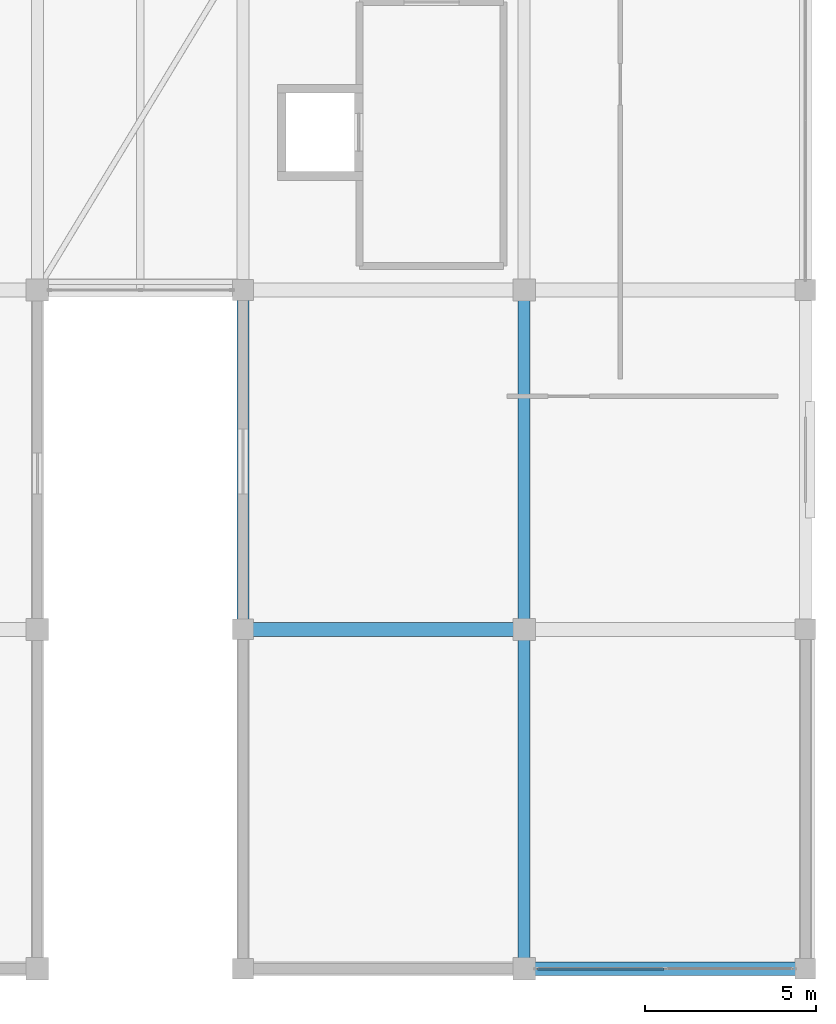
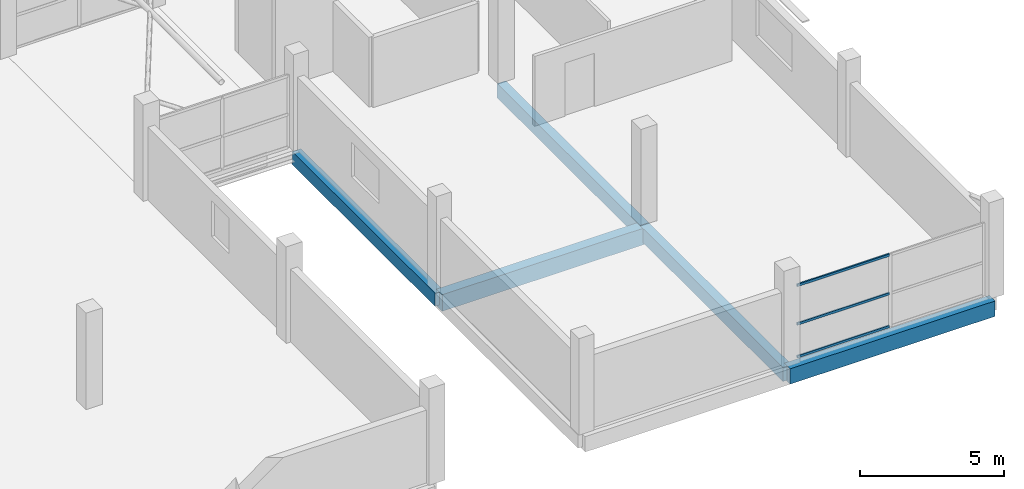
# One storey, part 14 of 70: 5 beams, 3 members, 1 element without a shape of its own.
"""IFC4 building model written with IfcOpenShell, lengths in metres."""

import ifcopenshell
import ifcopenshell.guid

model = None  # the IFC model being written
_history = None  # IfcOwnerHistory: only IFC2X3 demands one
_inside = {}  # id of a spatial element -> (the spatial element, [elements in it])
_under = {}  # id of a project, library or spatial element -> (it, [spatial elements below it])
_declared = {}  # id of a project -> (the project, [libraries it declares])
_typed = {}  # id of a type object -> (the type object, [elements of that type])
_made_of = {}  # id of a material, layer set ... -> (it, [elements and type objects made of it])


def new_model(schema):
    """Start an empty IFC model of exactly this schema.

    Asked for "IFC4X3", IfcOpenShell would pick the latest addendum, in which some entities
    have other attributes; the version numbers below select the first issue.
    IFC2X3 requires an IfcOwnerHistory on every rooted entity: one is made here for all.
    """
    global model, _history
    if schema == "IFC4X3":
        model = ifcopenshell.file(schema_version=(4, 3, 0, 0))
    else:
        model = ifcopenshell.file(schema=schema)
    _inside.clear()
    _under.clear()
    _declared.clear()
    _typed.clear()
    _made_of.clear()
    _history = None
    if model.schema == "IFC2X3":
        org = make("IfcOrganization", Name="unknown")
        user = make(
            "IfcPersonAndOrganization",
            ThePerson=make("IfcPerson", FamilyName="unknown"),
            TheOrganization=org,
        )
        app = make(
            "IfcApplication",
            ApplicationDeveloper=org,
            Version="unknown",
            ApplicationFullName="unknown",
            ApplicationIdentifier="unknown",
        )
        _history = make(
            "IfcOwnerHistory",
            OwningUser=user,
            OwningApplication=app,
            ChangeAction="ADDED",
            CreationDate=0,
        )
    return model


def make(cls, **values):
    """One entity of the class cls with the attributes given. An attribute that is None is left unset."""
    return model.create_entity(
        cls, **{name: value for name, value in values.items() if value is not None}
    )


def rooted(cls, **values):
    """An entity with a GlobalId (a new one), such as an element, a storey or a relation."""
    return make(cls, GlobalId=ifcopenshell.guid.new(), OwnerHistory=_history, **values)


def si_unit(unit_type, name, prefix=None):
    """IfcSIUnit, for example si_unit("LENGTHUNIT", "METRE", prefix="MILLI")."""
    return make("IfcSIUnit", UnitType=unit_type, Prefix=prefix, Name=name)


def assignment(units):
    """IfcUnitAssignment: the units of a project."""
    return None if units is None else make("IfcUnitAssignment", Units=units)


def point(xyz):
    """IfcCartesianPoint."""
    return None if xyz is None else make("IfcCartesianPoint", Coordinates=xyz)


def direction(xyz):
    """IfcDirection."""
    return None if xyz is None else make("IfcDirection", DirectionRatios=xyz)


def frame(location, z_axis=None, x_axis=None):
    """IfcAxis2Placement3D, a coordinate frame: its origin and axes. An axis left out is left unset."""
    return make(
        "IfcAxis2Placement3D",
        Location=point(location),
        Axis=direction(z_axis),
        RefDirection=direction(x_axis),
    )


def frame_2d(location, x_axis=None):
    """IfcAxis2Placement2D, a coordinate frame in the plane: its origin and x axis."""
    return make(
        "IfcAxis2Placement2D", Location=point(location), RefDirection=direction(x_axis)
    )


def origin():
    """The frame at (0, 0, 0) with its axes left unset."""
    return frame((0.0, 0.0, 0.0))


def origin_2d():
    """The frame at (0, 0) in the plane with its x axis left unset."""
    return frame_2d((0.0, 0.0))


def place(relative_to, where):
    """IfcLocalPlacement: puts the frame where relative to a parent placement (None: the world)."""
    return make(
        "IfcLocalPlacement", PlacementRelTo=relative_to, RelativePlacement=where
    )


def context(
    kind, dimensions, precision=None, world=None, true_north=None, identifier=None
):
    """IfcGeometricRepresentationContext, for example the 3D "Model" context."""
    return make(
        "IfcGeometricRepresentationContext",
        ContextIdentifier=identifier,
        ContextType=kind,
        CoordinateSpaceDimension=dimensions,
        Precision=precision,
        WorldCoordinateSystem=world,
        TrueNorth=true_north,
    )


def subcontext(parent, identifier, kind, view, scale=None):
    """IfcGeometricRepresentationSubContext, for example "Body" below "Model"."""
    return make(
        "IfcGeometricRepresentationSubContext",
        ContextIdentifier=identifier,
        ContextType=kind,
        ParentContext=parent,
        TargetScale=scale,
        TargetView=view,
    )


def project(units=None, contexts=None):
    """IfcProject with its units and contexts."""
    return rooted(
        "IfcProject",
        Name="project",
        RepresentationContexts=contexts,
        UnitsInContext=assignment(units),
    )


def spatial(cls, under=None, at=None, **own):
    """A site, building, storey or space (cls), placed at a placement, below another one or the project."""
    s = rooted(cls, ObjectPlacement=at, **own)
    if under is not None:
        _under.setdefault(under.id(), (under, []))[1].append(s)
    return s


def profile(cls, at=None, kind="AREA", **sizes):
    """A parametric profile (cls). Its sizes go by their IFC names, for example OverallWidth=200.0."""
    return make(cls, ProfileType=kind, Position=at, **sizes)


def rectangle(**sizes):
    """IfcRectangleProfileDef."""
    return profile("IfcRectangleProfileDef", **sizes)


def hollow_rectangle(**sizes):
    """IfcRectangleHollowProfileDef."""
    return profile("IfcRectangleHollowProfileDef", **sizes)


def extrude(swept, where, along, depth):
    """IfcExtrudedAreaSolid: the profile swept, set in the frame where, extruded along a direction by depth."""
    return make(
        "IfcExtrudedAreaSolid",
        SweptArea=swept,
        Position=where,
        ExtrudedDirection=direction(along),
        Depth=depth,
    )


def shape(context_of_items, identifier, shape_type, items):
    """IfcShapeRepresentation: the items that make up one representation, for example the "Body"."""
    return make(
        "IfcShapeRepresentation",
        ContextOfItems=context_of_items,
        RepresentationIdentifier=identifier,
        RepresentationType=shape_type,
        Items=items,
    )


def material(Name=None, Category=None):
    """IfcMaterial."""
    return make("IfcMaterial", Name=Name, Category=Category)


def layer(
    of_material, thickness, ventilated=None, Name=None, Category=None, Priority=None
):
    """IfcMaterialLayer: one layer of a wall or slab, of a material (None: an air gap)."""
    return make(
        "IfcMaterialLayer",
        Material=of_material,
        LayerThickness=thickness,
        IsVentilated=ventilated,
        Name=Name,
        Category=Category,
        Priority=Priority,
    )


def layer_set(layers, Name=None):
    """IfcMaterialLayerSet."""
    return make("IfcMaterialLayerSet", MaterialLayers=layers, LayerSetName=Name)


def material_profile(
    of_material, cross_section, Name=None, Category=None, Priority=None
):
    """IfcMaterialProfile: a cross section and its material."""
    return make(
        "IfcMaterialProfile",
        Name=Name,
        Material=of_material,
        Profile=cross_section,
        Priority=Priority,
        Category=Category,
    )


def profile_set(profiles, Name=None, composite=None):
    """IfcMaterialProfileSet."""
    return make(
        "IfcMaterialProfileSet",
        Name=Name,
        MaterialProfiles=profiles,
        CompositeProfile=composite,
    )


def made_of(thing, what):
    """Note that an element or type object is made of a material, layer set ...; save() writes the relation."""
    if what is not None:
        _made_of.setdefault(what.id(), (what, []))[1].append(thing)
    return thing


def type_object(cls, material=None, **own):
    """A type object (cls), such as IfcWallType, which elements share."""
    return made_of(rooted(cls, **own), material)


def element(
    cls,
    number,
    at=None,
    inside=None,
    cuts=None,
    type_object=None,
    material=None,
    context=None,
    identifier="Body",
    shape_type=None,
    held_by="IfcProductDefinitionShape",
    body=None,
    shapes=None,
    **own,
):
    """One element of the class cls, such as IfcWall. Its Tag is "e" and its number.

    at: its placement. inside: the storey or other place that contains it. cuts: it is an
    opening in that element (IfcRelVoidsElement). A single representation is given by context,
    identifier, shape_type and body (its items); several are given by shapes. held_by: the class
    of the entity that holds the representations. save() writes the other relations.
    """
    e = rooted(cls, Tag="e%d" % number, ObjectPlacement=at, **own)
    if body is not None:
        shapes = [shape(context, identifier, shape_type, body)]
    if shapes is not None:
        e.Representation = make(held_by, Representations=shapes)
    if inside is not None:
        _inside.setdefault(inside.id(), (inside, []))[1].append(e)
    if cuts is not None:
        rooted(
            "IfcRelVoidsElement", RelatingBuildingElement=cuts, RelatedOpeningElement=e
        )
    if type_object is not None:
        _typed.setdefault(type_object.id(), (type_object, []))[1].append(e)
    return made_of(e, material)


def aggregate(whole, parts):
    """IfcRelAggregates: a whole, such as a stair, and the parts it consists of."""
    return rooted("IfcRelAggregates", RelatingObject=whole, RelatedObjects=parts)


def save(model, path):
    """Write the relations noted so far, then the file.

    IfcRelAggregates (storeys below a building ...), IfcRelContainedInSpatialStructure (elements
    in a storey), IfcRelDefinesByType, IfcRelAssociatesMaterial and IfcRelDeclares: one each for
    every whole, place, type object, material and project.
    """
    for whole, parts in _under.values():
        aggregate(whole, parts)
    for where, things in _inside.values():
        rooted(
            "IfcRelContainedInSpatialStructure",
            RelatedElements=things,
            RelatingStructure=where,
        )
    for kind, things in _typed.values():
        rooted("IfcRelDefinesByType", RelatedObjects=things, RelatingType=kind)
    for what, things in _made_of.values():
        rooted("IfcRelAssociatesMaterial", RelatedObjects=things, RelatingMaterial=what)
    for by, libraries in _declared.values():
        rooted("IfcRelDeclares", RelatingContext=by, RelatedDefinitions=libraries)
    model.write(path)


model = new_model("IFC4")

# Units and contexts
model_context = context("Model", 3, precision=1e-05, world=origin(), true_north=direction((0.0, 1.0)))
body_context = subcontext(model_context, "Body", "Model", "MODEL_VIEW")
ifc_project = project(units=[si_unit("LENGTHUNIT", "METRE"), si_unit("AREAUNIT", "SQUARE_METRE"), si_unit("VOLUMEUNIT", "CUBIC_METRE"), si_unit("PLANEANGLEUNIT", "RADIAN"), si_unit("MASSUNIT", "GRAM", prefix="KILO")], contexts=[model_context])

# Site, building, storey
site_placement = place(None, origin())
site = spatial("IfcSite", under=ifc_project, at=site_placement, CompositionType="ELEMENT")
building_placement = place(site_placement, origin())
building = spatial("IfcBuilding", under=site, at=building_placement, Name="Sillaruma Civic Art Gallery", CompositionType="ELEMENT")
storey_placement = place(building_placement, frame((0.0, 0.0, 66.300048828125)))
storey = spatial("IfcBuildingStorey", under=building, at=storey_placement, Name="L13", CompositionType="ELEMENT", Elevation=66.300048828125)

# Beams
ifc_material_1 = material(Name="Concrete H35 (35 MPa)", Category="concrete")
ifc_material_profile_1 = material_profile(ifc_material_1, rectangle(XDim=0.35009765625, YDim=0.60009765625, at=origin_2d()), Name="RCB350x600")
ifc_profile_set_1 = profile_set([ifc_material_profile_1], Name="Concrete H35 (35 MPa)")
beam_type_1 = type_object("IfcBeamType", Name="BM-BEAM-RCB350x600", PredefinedType="BEAM", material=ifc_profile_set_1)
beam_1_placement = place(storey_placement, frame((106.199951171875, 19.800048828125, -0.530029296875), z_axis=(0.0, 1.0, 0.0), x_axis=(-1.0, 0.0, 0.0)))
element("IfcBeam", 1, at=beam_1_placement, inside=storey, type_object=beam_type_1, Name="Beam BM-06 (L12:M:3-4)", PredefinedType="BEAM", context=body_context, shape_type="SweptSolid", body=[
    extrude(rectangle(XDim=0.35009765625, YDim=0.60009765625, at=origin_2d()), origin(), (0.0, 0.0, 1.0), 9.89990234375),
])
beam_2_placement = place(storey_placement, frame((106.199951171875, 29.699951171875, -0.530029296875), z_axis=(0.0, 1.0, 0.0), x_axis=(-1.0, 0.0, 0.0)))
element("IfcBeam", 2, at=beam_2_placement, inside=storey, type_object=beam_type_1, Name="Beam BM-06 (L12:M:4-5)", PredefinedType="BEAM", context=body_context, shape_type="SweptSolid", body=[
    extrude(rectangle(XDim=0.35009765625, YDim=0.60009765625, at=origin_2d()), origin(), (0.0, 0.0, 1.0), 9.900146484375),
])
ifc_material_profile_2 = material_profile(ifc_material_1, rectangle(XDim=0.39990234375, YDim=0.699951171875, at=origin_2d()), Name="RCB400x700")
ifc_profile_set_2 = profile_set([ifc_material_profile_2], Name="Concrete H35 (35 MPa)")
beam_type_2 = type_object("IfcBeamType", Name="BM-BEAM-RCB400x700", PredefinedType="BEAM", material=ifc_profile_set_2)
beam_3_placement = place(storey_placement, frame((98.0, 29.699951171875, -0.580078125), z_axis=(1.0, 0.0, 0.0), x_axis=(0.0, 1.0, 0.0)))
element("IfcBeam", 3, at=beam_3_placement, inside=storey, type_object=beam_type_2, Name="Beam BM-04 (L12:4:L-M)", PredefinedType="BEAM", context=body_context, shape_type="SweptSolid", body=[
    extrude(rectangle(XDim=0.39990234375, YDim=0.699951171875, at=origin_2d()), origin(), (0.0, 0.0, 1.0), 8.199951171875),
])
ifc_material_profile_3 = material_profile(ifc_material_1, rectangle(XDim=0.35009765625, YDim=0.550048828125, at=origin_2d()), Name="RCB350x550")
ifc_profile_set_3 = profile_set([ifc_material_profile_3], Name="Concrete H35 (35 MPa)")
beam_type_3 = type_object("IfcBeamType", Name="BM-SPANDREL-RCB350x550", PredefinedType="SPANDREL", material=ifc_profile_set_3)
beam_4_placement = place(storey_placement, frame((98.0, 29.699951171875, -0.505126953125), z_axis=(0.0, 1.0, 0.0), x_axis=(-1.0, 0.0, 0.0)))
element("IfcBeam", 4, at=beam_4_placement, inside=storey, type_object=beam_type_3, Name="Beam BS-04 (L12:L:4-5)", PredefinedType="SPANDREL", context=body_context, shape_type="SweptSolid", body=[
    extrude(rectangle(XDim=0.35009765625, YDim=0.550048828125, at=origin_2d()), origin(), (0.0, 0.0, 1.0), 9.900146484375),
])
ifc_material_profile_4 = material_profile(ifc_material_1, rectangle(XDim=0.39990234375, YDim=0.64990234375, at=origin_2d()), Name="RCB400x650")
ifc_profile_set_4 = profile_set([ifc_material_profile_4], Name="Concrete H35 (35 MPa)")
beam_type_4 = type_object("IfcBeamType", Name="BM-SPANDREL-RCB400x650", PredefinedType="SPANDREL", material=ifc_profile_set_4)
beam_5_placement = place(storey_placement, frame((106.199951171875, 19.800048828125, -0.554931640625), z_axis=(1.0, 0.0, 0.0), x_axis=(0.0, 1.0, 0.0)))
element("IfcBeam", 5, at=beam_5_placement, inside=storey, type_object=beam_type_4, Name="Beam BS-02 (L12:3:M-N)", PredefinedType="SPANDREL", context=body_context, shape_type="SweptSolid", body=[
    extrude(rectangle(XDim=0.39990234375, YDim=0.64990234375, at=origin_2d()), origin(), (0.0, 0.0, 1.0), 8.199951171875),
])

# Curtain wall, members
ifc_material_2 = material(Name="Thermally Broken Extruded Aluminium 6063-T6", Category="aluminium")
ifc_layer = layer(ifc_material_2, 0.139892578125, Name="Thermally Broken Extruded Aluminium 6063-T6")
ifc_layer_set = layer_set([ifc_layer], Name="Thermally Broken Extruded Aluminium 6063-T6")
curtain_wall_type = type_object("IfcCurtainWallType", Name="CW-UNI-107", PredefinedType="NOTDEFINED", material=ifc_layer_set)
curtain_wall_placement = place(storey_placement, origin())
curtain_wall = element("IfcCurtainWall", 6, at=curtain_wall_placement, inside=storey, type_object=curtain_wall_type, Name="Unitised Curtain Wall CW-107 (CW-L13-EBS-2)", PredefinedType="NOTDEFINED")
ifc_material_profile_5 = material_profile(ifc_material_2, hollow_rectangle(XDim=0.06005859375, YDim=0.10009765625, WallThickness=0.003173828125, at=origin_2d()), Name="CWT60x100")
ifc_profile_set_5 = profile_set([ifc_material_profile_5], Name="Thermally Broken Extruded Aluminium 6063-T6")
member_type = type_object("IfcMemberType", Name="MEM-TRN-CWT60x100", PredefinedType="USERDEFINED", material=ifc_profile_set_5)
member_1_placement = place(storey_placement, frame((106.5849609375, 19.800048828125, 0.030029296875), z_axis=(1.0, 0.0, 0.0), x_axis=(0.0, 1.0, 0.0)))
member_1 = element("IfcMember", 7, at=member_1_placement, type_object=member_type, Name="CW-107 transom 1.1", ObjectType="TRANSOM", PredefinedType="USERDEFINED", context=body_context, shape_type="SweptSolid", body=[
    extrude(hollow_rectangle(XDim=0.06005859375, YDim=0.10009765625, WallThickness=0.003173828125, at=origin_2d()), origin(), (0.0, 0.0, 1.0), 3.697509765625),
])
member_2_placement = place(storey_placement, frame((106.5849609375, 19.800048828125, 1.416748046875), z_axis=(1.0, 0.0, 0.0), x_axis=(0.0, 1.0, 0.0)))
member_2 = element("IfcMember", 8, at=member_2_placement, type_object=member_type, Name="CW-107 transom 1.2", ObjectType="TRANSOM", PredefinedType="USERDEFINED", context=body_context, shape_type="SweptSolid", body=[
    extrude(hollow_rectangle(XDim=0.06005859375, YDim=0.10009765625, WallThickness=0.003173828125, at=origin_2d()), origin(), (0.0, 0.0, 1.0), 3.697509765625),
])
member_3_placement = place(storey_placement, frame((106.5849609375, 19.800048828125, 3.050048828125), z_axis=(1.0, 0.0, 0.0), x_axis=(0.0, 1.0, 0.0)))
member_3 = element("IfcMember", 9, at=member_3_placement, type_object=member_type, Name="CW-107 transom 1.3", ObjectType="TRANSOM", PredefinedType="USERDEFINED", context=body_context, shape_type="SweptSolid", body=[
    extrude(hollow_rectangle(XDim=0.06005859375, YDim=0.10009765625, WallThickness=0.003173828125, at=origin_2d()), origin(), (0.0, 0.0, 1.0), 3.697509765625),
])
aggregate(curtain_wall, [member_1, member_2, member_3])

save(model, "model.ifc")
